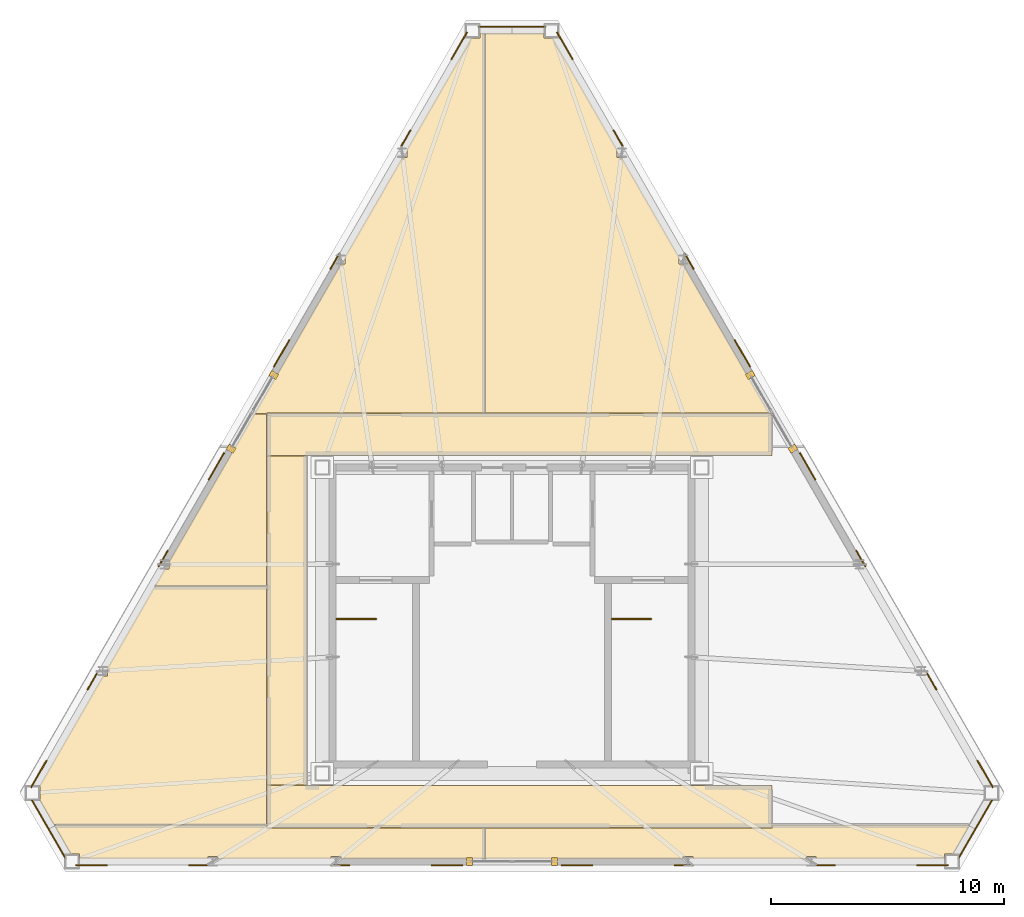
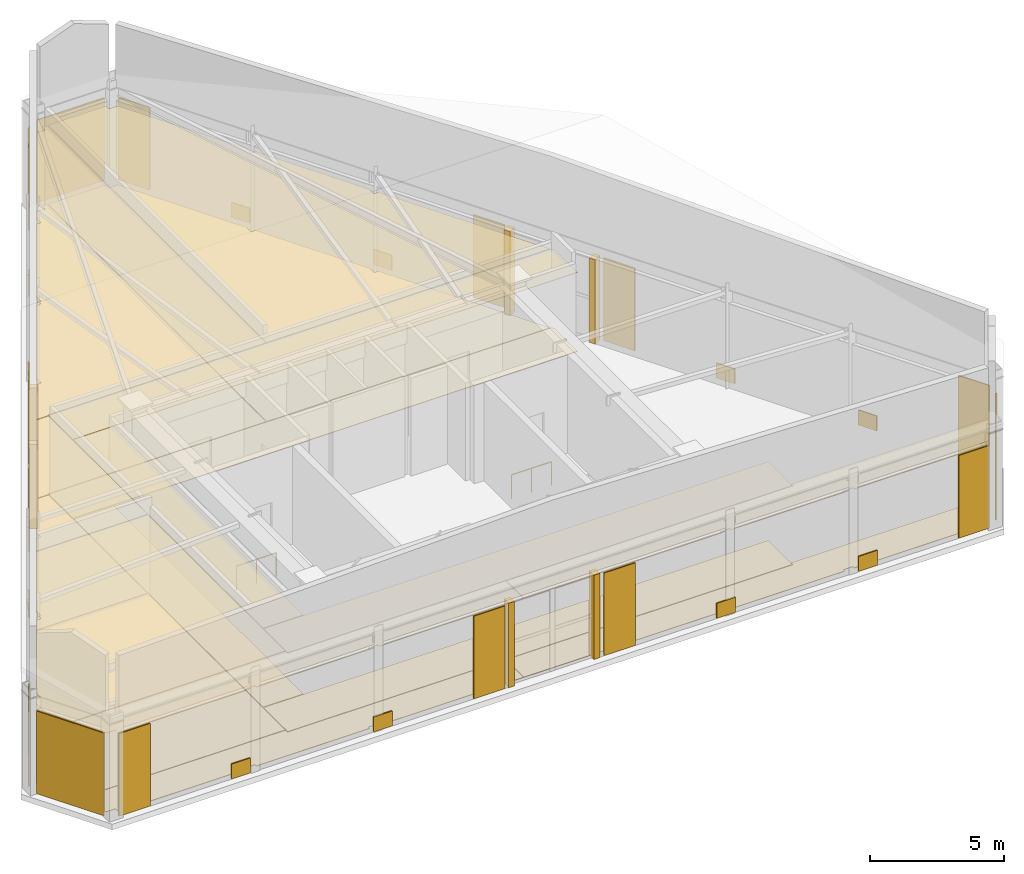
# One storey, part 11 of 11: 51 coverings, 2 railings.
"""IFC4 building model written with IfcOpenShell, lengths in metres."""

from ifc_helpers import new_model, si_unit, direction, frame, origin, origin_2d, place, context, subcontext, project, spatial, polyline, rectangle, circle, outline, extrude, material, layer, layer_set, type_object, element, save


model = new_model("IFC4")

# Units and contexts
model_context = context("Model", 3, precision=1e-05, world=origin(), true_north=direction((0.0, 1.0)))
body_context = subcontext(model_context, "Body", "Model", "MODEL_VIEW")
ifc_project = project(units=[si_unit("LENGTHUNIT", "METRE"), si_unit("AREAUNIT", "SQUARE_METRE"), si_unit("VOLUMEUNIT", "CUBIC_METRE"), si_unit("PLANEANGLEUNIT", "RADIAN"), si_unit("MASSUNIT", "GRAM", prefix="KILO")], contexts=[model_context])

# Site, building, storey
site_placement = place(None, origin())
site = spatial("IfcSite", under=ifc_project, at=site_placement, CompositionType="ELEMENT")
building_placement = place(site_placement, origin())
building = spatial("IfcBuilding", under=site, at=building_placement, Name="Oramaril Tower", CompositionType="ELEMENT")
storey_placement = place(building_placement, frame((0.0, 0.0, 318.89990234375)))
storey = spatial("IfcBuildingStorey", under=building, at=storey_placement, Name="L83", CompositionType="ELEMENT", Elevation=318.89990234375)

# Coverings
ifc_material_1 = material(Name="Mineral Fibre Acoustic Ceiling")
ifc_layer_1 = layer(ifc_material_1, 0.02001953125)
ifc_layer_set_1 = layer_set([ifc_layer_1], Name="CVT-CEIL")
covering_type_1 = type_object("IfcCoveringType", Name="CVT-CEIL", PredefinedType="CEILING", material=ifc_layer_set_1)
covering_1_placement = place(storey_placement, frame((0.0, 0.0, 3.592041015625)))
element("IfcCovering", 1, at=covering_1_placement, inside=storey, type_object=covering_type_1, Name="L83 Acoustic Suspended Ceiling 1", PredefinedType="CEILING", context=body_context, shape_type="SweptSolid", body=[
    extrude(outline(polyline([(48.679931640625, 10.47998046875), (48.679931640625, 8.669921875), (26.969970703125, 8.669921875), (26.969970703125, 10.47998046875), (48.679931640625, 10.47998046875)])), origin(), (0.0, 0.0, 1.0), 0.02001953125),
])
covering_2_placement = place(storey_placement, frame((0.0, 0.0, 3.592041015625)))
element("IfcCovering", 2, at=covering_2_placement, inside=storey, type_object=covering_type_1, Name="L83 Acoustic Suspended Ceiling 2", PredefinedType="CEILING", context=body_context, shape_type="SweptSolid", body=[
    extrude(outline(polyline([(48.679931640625, 24.669921875), (26.969970703125, 24.669921875), (26.969970703125, 26.47998046875), (48.609375, 26.47998046875), (48.679931640625, 26.357421875), (48.679931640625, 24.669921875)])), origin(), (0.0, 0.0, 1.0), 0.02001953125),
])
covering_3_placement = place(storey_placement, frame((0.0, 0.0, 3.592041015625)))
element("IfcCovering", 3, at=covering_3_placement, inside=storey, type_object=covering_type_1, Name="L83 Acoustic Suspended Ceiling 3", PredefinedType="CEILING", context=body_context, shape_type="SweptSolid", body=[
    extrude(outline(polyline([(28.699951171875, 10.5), (26.969970703125, 10.5), (26.969970703125, 24.64990234375), (28.699951171875, 24.64990234375), (28.699951171875, 10.5)])), origin(), (0.0, 0.0, 1.0), 0.02001953125),
])
covering_4_placement = place(storey_placement, frame((0.0, 0.0, 3.592041015625)))
element("IfcCovering", 4, at=covering_4_placement, inside=storey, type_object=covering_type_1, Name="L83 Acoustic Suspended Ceiling 4", PredefinedType="CEILING", context=body_context, shape_type="SweptSolid", body=[
    extrude(outline(polyline([(36.342041015625, 7.326904296875), (30.14111328125, 7.326904296875), (30.14111328125, 7.425537109375), (29.72802734375, 7.425537109375), (29.72802734375, 7.326904296875), (24.845458984375, 7.326904296875), (24.845458984375, 7.425537109375), (24.432373046875, 7.425537109375), (24.432373046875, 7.326904296875), (18.906494140625, 7.326904296875), (18.906494140625, 7.5390625), (18.526611328125, 7.5390625), (17.802978515625, 8.7919921875), (26.949951171875, 8.7919921875), (26.949951171875, 8.669921875), (26.9501953125, 8.66796875), (26.950439453125, 8.666015625), (26.950927734375, 8.664306640625), (26.951416015625, 8.662353515625), (26.952392578125, 8.66064453125), (26.953369140625, 8.658935546875), (26.95458984375, 8.6572265625), (26.955810546875, 8.656005859375), (26.957275390625, 8.654541015625), (26.958984375, 8.6533203125), (26.960693359375, 8.65234375), (26.96240234375, 8.651611328125), (26.964111328125, 8.65087890625), (26.966064453125, 8.650390625), (26.968017578125, 8.650146484375), (26.969970703125, 8.64990234375), (36.342041015625, 8.64990234375), (36.342041015625, 7.326904296875)])), origin(), (0.0, 0.0, 1.0), 0.02001953125),
])
covering_5_placement = place(storey_placement, frame((0.0, 0.0, 3.592041015625)))
element("IfcCovering", 5, at=covering_5_placement, inside=storey, type_object=covering_type_1, Name="L83 Acoustic Suspended Ceiling 5", PredefinedType="CEILING", context=body_context, shape_type="SweptSolid", body=[
    extrude(outline(polyline([(50.567626953125, 7.425537109375), (50.154541015625, 7.425537109375), (50.154541015625, 7.326904296875), (45.27197265625, 7.326904296875), (45.27197265625, 7.425537109375), (44.85888671875, 7.425537109375), (44.85888671875, 7.326904296875), (36.362060546875, 7.326904296875), (36.362060546875, 8.64990234375), (48.679931640625, 8.64990234375), (48.681884765625, 8.650146484375), (48.683837890625, 8.650390625), (48.685791015625, 8.65087890625), (48.687744140625, 8.651611328125), (48.689453125, 8.65234375), (48.691162109375, 8.6533203125), (48.692626953125, 8.654541015625), (48.694091796875, 8.656005859375), (48.695556640625, 8.6572265625), (48.696533203125, 8.658935546875), (48.697509765625, 8.66064453125), (48.698486328125, 8.662353515625), (48.69921875, 8.664306640625), (48.69970703125, 8.666015625), (48.699951171875, 8.66796875), (48.699951171875, 8.669921875), (48.699951171875, 8.7919921875), (57.197021484375, 8.7919921875), (56.473388671875, 7.5390625), (56.093505859375, 7.5390625), (56.093505859375, 7.326904296875), (50.567626953125, 7.326904296875), (50.567626953125, 7.425537109375)])), origin(), (0.0, 0.0, 1.0), 0.02001953125),
])
covering_6_placement = place(storey_placement, frame((0.0, 0.0, 3.592041015625)))
element("IfcCovering", 6, at=covering_6_placement, inside=storey, type_object=covering_type_1, Name="L83 Acoustic Suspended Ceiling 6", PredefinedType="CEILING", context=body_context, shape_type="SweptSolid", body=[
    extrude(outline(polyline([(17.197509765625, 9.841064453125), (17.2080078125, 9.841064453125), (17.2080078125, 10.48095703125), (17.197509765625, 10.48095703125), (19.919677734375, 15.19580078125), (20.12060546875, 15.19580078125), (20.12060546875, 15.544189453125), (22.14013671875, 19.0419921875), (26.949951171875, 19.0419921875), (26.949951171875, 10.5), (26.9501953125, 10.498046875), (26.950439453125, 10.49609375), (26.950927734375, 10.494140625), (26.951416015625, 10.4921875), (26.952392578125, 10.490478515625), (26.95263671875, 10.489990234375), (26.952392578125, 10.489501953125), (26.951416015625, 10.48779296875), (26.950927734375, 10.48583984375), (26.950439453125, 10.48388671875), (26.9501953125, 10.48193359375), (26.949951171875, 10.47998046875), (26.949951171875, 8.81201171875), (17.802978515625, 8.81201171875), (17.801025390625, 8.81201171875), (17.79931640625, 8.8115234375), (17.797119140625, 8.81103515625), (17.79541015625, 8.810302734375), (17.793701171875, 8.8095703125), (17.793212890625, 8.809326171875), (17.197509765625, 9.841064453125)])), origin(), (0.0, 0.0, 1.0), 0.02001953125),
])
covering_7_placement = place(storey_placement, frame((0.0, 0.0, 3.592041015625)))
element("IfcCovering", 7, at=covering_7_placement, inside=storey, type_object=covering_type_1, Name="L83 Acoustic Suspended Ceiling 7", PredefinedType="CEILING", context=body_context, shape_type="SweptSolid", body=[
    extrude(outline(polyline([(22.567626953125, 19.7822265625), (22.7685546875, 19.7822265625), (22.7685546875, 20.13037109375), (26.41259765625, 26.44189453125), (26.949951171875, 26.44189453125), (26.949951171875, 24.669921875), (26.9501953125, 24.66796875), (26.950439453125, 24.666015625), (26.950927734375, 24.664306640625), (26.951416015625, 24.662353515625), (26.952392578125, 24.66064453125), (26.95263671875, 24.659912109375), (26.952392578125, 24.659423828125), (26.951416015625, 24.65771484375), (26.950927734375, 24.65576171875), (26.950439453125, 24.65380859375), (26.9501953125, 24.652099609375), (26.949951171875, 24.64990234375), (26.949951171875, 19.06201171875), (22.15185546875, 19.06201171875), (22.567626953125, 19.7822265625)])), origin(), (0.0, 0.0, 1.0), 0.02001953125),
])
covering_8_placement = place(storey_placement, frame((0.0, 0.0, 3.592041015625)))
element("IfcCovering", 8, at=covering_8_placement, inside=storey, type_object=covering_type_1, Name="L83 Acoustic Suspended Ceiling 8", PredefinedType="CEILING", context=body_context, shape_type="SweptSolid", body=[
    extrude(outline(polyline([(30.333984375, 32.8857421875), (30.333984375, 33.23388671875), (32.78076171875, 37.47216796875), (32.98193359375, 37.47216796875), (32.98193359375, 37.8203125), (35.741455078125, 42.60009765625), (36.12158203125, 42.60009765625), (36.12158203125, 42.81201171875), (36.342041015625, 42.81201171875), (36.342041015625, 26.5), (26.969970703125, 26.5), (26.968017578125, 26.5), (26.966064453125, 26.49951171875), (26.964111328125, 26.4990234375), (26.96240234375, 26.49853515625), (26.960693359375, 26.49755859375), (26.958984375, 26.49658203125), (26.957275390625, 26.49560546875), (26.955810546875, 26.494140625), (26.95458984375, 26.49267578125), (26.953369140625, 26.4912109375), (26.952392578125, 26.489501953125), (26.951416015625, 26.48779296875), (26.950927734375, 26.48583984375), (26.950439453125, 26.48388671875), (26.9501953125, 26.48193359375), (26.949951171875, 26.47998046875), (26.949951171875, 26.4619140625), (26.42431640625, 26.4619140625), (30.1328125, 32.8857421875), (30.333984375, 32.8857421875)])), origin(), (0.0, 0.0, 1.0), 0.02001953125),
])
covering_9_placement = place(storey_placement, frame((0.0, 0.0, 3.592041015625)))
element("IfcCovering", 9, at=covering_9_placement, inside=storey, type_object=covering_type_1, Name="L83 Acoustic Suspended Ceiling 9", PredefinedType="CEILING", context=body_context, shape_type="SweptSolid", body=[
    extrude(outline(polyline([(38.87841796875, 42.81201171875), (38.87841796875, 42.60009765625), (39.258544921875, 42.60009765625), (42.01806640625, 37.8203125), (42.01806640625, 37.47216796875), (42.21923828125, 37.47216796875), (44.666015625, 33.23388671875), (44.666015625, 32.8857421875), (44.8671875, 32.8857421875), (48.553955078125, 26.5), (36.362060546875, 26.5), (36.362060546875, 42.81201171875), (38.87841796875, 42.81201171875)])), origin(), (0.0, 0.0, 1.0), 0.02001953125),
])
ifc_material_2 = material(Name="Warm Cream Limestone", Category="masonry")
ifc_layer_2 = layer(ifc_material_2, 0.050048828125)
ifc_layer_set_2 = layer_set([ifc_layer_2], Name="CVT-CLD")
covering_type_2 = type_object("IfcCoveringType", Name="CVT-CLD", PredefinedType="CLADDING", material=ifc_layer_set_2)
covering_10_placement = place(storey_placement, frame((17.591796875, 8.60595703125, 0.0400390625), z_axis=(0.0, 0.0, 1.0), x_axis=(0.499986396443, -0.866033257659, 0.0)))
element("IfcCovering", 10, at=covering_10_placement, inside=storey, type_object=covering_type_2, Name="L83 Warm Cream Limestone Cladding", PredefinedType="CLADDING", context=body_context, shape_type="SweptSolid", body=[
    extrude(rectangle(XDim=2.897216796875, YDim=0.050048828125, at=origin_2d()), origin(), (0.0, 0.0, 1.0), 3.758056640625),
])
for number, where, z_axis, x_axis, name in (
    (11, (35.669921875, 7.218994140625, 0.000244140625), (0.0, 0.0, 1.0), (1.0, 0.0, 0.0), "L83 Curtain Wall Limestone Jamb Closure"),
    (12, (39.330078125, 7.218994140625, 0.000244140625), (0.0, 0.0, 1.0), (1.0, 0.0, 0.0), "L83 Curtain Wall Limestone Jamb Closure"),
):
    element("IfcCovering", number, at=place(storey_placement, frame(where, z_axis=z_axis, x_axis=x_axis)), inside=storey, type_object=covering_type_2, Name=name, PredefinedType="CLADDING", context=body_context, shape_type="SweptSolid", body=[
        extrude(rectangle(XDim=0.260009765625, YDim=0.340087890625, at=origin_2d()), origin(), (0.0, 0.0, 1.0), 3.837890625),
    ])
for number, where, z_axis, x_axis, name in (
    (13, (19.4365234375, 7.051025390625, 0.0400390625), (0.0, 0.0, 1.0), (1.0, 0.0, 0.0), "L83 Warm Cream Limestone Cladding"),
    (14, (34.699951171875, 7.051025390625, 0.0400390625), (0.0, 0.0, 1.0), (1.0, 0.0, 0.0), "L83 Warm Cream Limestone Cladding"),
):
    element("IfcCovering", number, at=place(storey_placement, frame(where, z_axis=z_axis, x_axis=x_axis)), inside=storey, type_object=covering_type_2, Name=name, PredefinedType="CLADDING", context=body_context, shape_type="SweptSolid", body=[
        extrude(rectangle(XDim=1.35009765625, YDim=0.050048828125, at=origin_2d()), origin(), (0.0, 0.0, 1.0), 3.758056640625),
    ])
for number, where, z_axis, x_axis, name in (
    (15, (24.014892578125, 7.051025390625, 0.0400390625), (0.0, 0.0, 1.0), (1.0, 0.0, 0.0), "L83 Warm Cream Limestone Spandrel Cladding"),
    (16, (30.12158203125, 7.051025390625, 0.0400390625), (0.0, 0.0, 1.0), (1.0, 0.0, 0.0), "L83 Warm Cream Limestone Spandrel Cladding"),
):
    element("IfcCovering", number, at=place(storey_placement, frame(where, z_axis=z_axis, x_axis=x_axis)), inside=storey, type_object=covering_type_2, Name=name, PredefinedType="CLADDING", context=body_context, shape_type="SweptSolid", body=[
        extrude(rectangle(XDim=0.800048828125, YDim=0.050048828125, at=origin_2d()), origin(), (0.0, 0.0, 1.0), 0.679931640625),
    ])
for number, where, z_axis, x_axis, name in (
    (17, (40.300048828125, 7.051025390625, 0.0400390625), (0.0, 0.0, 1.0), (1.0, 0.0, 0.0), "L83 Warm Cream Limestone Cladding"),
    (18, (55.5634765625, 7.051025390625, 0.0400390625), (0.0, 0.0, 1.0), (1.0, 0.0, 0.0), "L83 Warm Cream Limestone Cladding"),
):
    element("IfcCovering", number, at=place(storey_placement, frame(where, z_axis=z_axis, x_axis=x_axis)), inside=storey, type_object=covering_type_2, Name=name, PredefinedType="CLADDING", context=body_context, shape_type="SweptSolid", body=[
        extrude(rectangle(XDim=1.35009765625, YDim=0.050048828125, at=origin_2d()), origin(), (0.0, 0.0, 1.0), 3.758056640625),
    ])
for number, where, z_axis, x_axis, name in (
    (19, (44.87841796875, 7.051025390625, 0.0400390625), (0.0, 0.0, 1.0), (1.0, 0.0, 0.0), "L83 Warm Cream Limestone Spandrel Cladding"),
    (20, (50.985107421875, 7.051025390625, 0.0400390625), (0.0, 0.0, 1.0), (1.0, 0.0, 0.0), "L83 Warm Cream Limestone Spandrel Cladding"),
):
    element("IfcCovering", number, at=place(storey_placement, frame(where, z_axis=z_axis, x_axis=x_axis)), inside=storey, type_object=covering_type_2, Name=name, PredefinedType="CLADDING", context=body_context, shape_type="SweptSolid", body=[
        extrude(rectangle(XDim=0.800048828125, YDim=0.050048828125, at=origin_2d()), origin(), (0.0, 0.0, 1.0), 0.679931640625),
    ])
covering_11_placement = place(storey_placement, frame((57.408203125, 8.60595703125, 0.0400390625), z_axis=(0.0, 0.0, 1.0), x_axis=(0.499986396443, 0.866033257659, 0.0)))
element("IfcCovering", 21, at=covering_11_placement, inside=storey, type_object=covering_type_2, Name="L83 Warm Cream Limestone Cladding", PredefinedType="CLADDING", context=body_context, shape_type="SweptSolid", body=[
    extrude(rectangle(XDim=2.897216796875, YDim=0.050048828125, at=origin_2d()), origin(), (0.0, 0.0, 1.0), 3.758056640625),
])
for number, where, z_axis, x_axis, name in (
    (22, (49.5703125, 24.95556640625, 0.000244140625), (0.0, 0.0, 1.0), (-0.5, 0.866025403784, 0.0), "L83 Curtain Wall Limestone Jamb Closure"),
    (23, (47.740234375, 28.125244140625, 0.000244140625), (0.0, 0.0, 1.0), (-0.5, 0.866025403784, 0.0), "L83 Curtain Wall Limestone Jamb Closure"),
):
    element("IfcCovering", number, at=place(storey_placement, frame(where, z_axis=z_axis, x_axis=x_axis)), inside=storey, type_object=covering_type_2, Name=name, PredefinedType="CLADDING", context=body_context, shape_type="SweptSolid", body=[
        extrude(rectangle(XDim=0.260009765625, YDim=0.340087890625, at=origin_2d()), origin(), (0.0, 0.0, 1.0), 3.837890625),
    ])
for number, where, z_axis, x_axis, name in (
    (24, (57.83251953125, 10.981201171875, 0.0400390625), (0.0, 0.0, 1.0), (-0.5, 0.866025403784, 0.0), "L83 Warm Cream Limestone Cladding"),
    (25, (50.20068359375, 24.19970703125, 0.0400390625), (0.0, 0.0, 1.0), (-0.5, 0.866025403784, 0.0), "L83 Warm Cream Limestone Cladding"),
):
    element("IfcCovering", number, at=place(storey_placement, frame(where, z_axis=z_axis, x_axis=x_axis)), inside=storey, type_object=covering_type_2, Name=name, PredefinedType="CLADDING", context=body_context, shape_type="SweptSolid", body=[
        extrude(rectangle(XDim=1.35009765625, YDim=0.050048828125, at=origin_2d()), origin(), (0.0, 0.0, 1.0), 3.758056640625),
    ])
for number, where, z_axis, x_axis, name in (
    (26, (55.543212890625, 14.946044921875, 0.0400390625), (0.0, 0.0, 1.0), (-0.5, 0.866025403784, 0.0), "L83 Warm Cream Limestone Spandrel Cladding"),
    (27, (52.489990234375, 20.234619140625, 0.0400390625), (0.0, 0.0, 1.0), (-0.5, 0.866025403784, 0.0), "L83 Warm Cream Limestone Spandrel Cladding"),
):
    element("IfcCovering", number, at=place(storey_placement, frame(where, z_axis=z_axis, x_axis=x_axis)), inside=storey, type_object=covering_type_2, Name=name, PredefinedType="CLADDING", context=body_context, shape_type="SweptSolid", body=[
        extrude(rectangle(XDim=0.800048828125, YDim=0.050048828125, at=origin_2d()), origin(), (0.0, 0.0, 1.0), 0.679931640625),
    ])
for number, where, z_axis, x_axis, name in (
    (28, (47.400634765625, 29.04931640625, 0.0400390625), (0.0, 0.0, 1.0), (-0.5, 0.866025403784, 0.0), "L83 Warm Cream Limestone Cladding"),
    (29, (39.76904296875, 42.267822265625, 0.0400390625), (0.0, 0.0, 1.0), (-0.5, 0.866025403784, 0.0), "L83 Warm Cream Limestone Cladding"),
):
    element("IfcCovering", number, at=place(storey_placement, frame(where, z_axis=z_axis, x_axis=x_axis)), inside=storey, type_object=covering_type_2, Name=name, PredefinedType="CLADDING", context=body_context, shape_type="SweptSolid", body=[
        extrude(rectangle(XDim=1.35009765625, YDim=0.050048828125, at=origin_2d()), origin(), (0.0, 0.0, 1.0), 3.758056640625),
    ])
for number, where, z_axis, x_axis, name in (
    (30, (45.111572265625, 33.014404296875, 0.0400390625), (0.0, 0.0, 1.0), (-0.5, 0.866025403784, 0.0), "L83 Warm Cream Limestone Spandrel Cladding"),
    (31, (42.05810546875, 38.302978515625, 0.0400390625), (0.0, 0.0, 1.0), (-0.5, 0.866025403784, 0.0), "L83 Warm Cream Limestone Spandrel Cladding"),
):
    element("IfcCovering", number, at=place(storey_placement, frame(where, z_axis=z_axis, x_axis=x_axis)), inside=storey, type_object=covering_type_2, Name=name, PredefinedType="CLADDING", context=body_context, shape_type="SweptSolid", body=[
        extrude(rectangle(XDim=0.800048828125, YDim=0.050048828125, at=origin_2d()), origin(), (0.0, 0.0, 1.0), 0.679931640625),
    ])
covering_12_placement = place(storey_placement, frame((37.5, 43.087890625, 0.0400390625), z_axis=(0.0, 0.0, 1.0), x_axis=(-1.0, 0.0, 0.0)))
element("IfcCovering", 32, at=covering_12_placement, inside=storey, type_object=covering_type_2, Name="L83 Warm Cream Limestone Cladding", PredefinedType="CLADDING", context=body_context, shape_type="SweptSolid", body=[
    extrude(rectangle(XDim=2.89697265625, YDim=0.050048828125, at=origin_2d()), origin(), (0.0, 0.0, 1.0), 3.758056640625),
])
for number, where, z_axis, x_axis, name in (
    (33, (27.259765625, 28.12548828125, 0.000244140625), (0.0, 0.0, 1.0), (-0.5, -0.866025403784, 0.0), "L83 Curtain Wall Limestone Jamb Closure"),
    (34, (25.4296875, 24.955810546875, 0.000244140625), (0.0, 0.0, 1.0), (-0.5, -0.866025403784, 0.0), "L83 Curtain Wall Limestone Jamb Closure"),
):
    element("IfcCovering", number, at=place(storey_placement, frame(where, z_axis=z_axis, x_axis=x_axis)), inside=storey, type_object=covering_type_2, Name=name, PredefinedType="CLADDING", context=body_context, shape_type="SweptSolid", body=[
        extrude(rectangle(XDim=0.260009765625, YDim=0.340087890625, at=origin_2d()), origin(), (0.0, 0.0, 1.0), 3.837890625),
    ])
for number, where, z_axis, x_axis, name in (
    (35, (35.23095703125, 42.267822265625, 0.0400390625), (0.0, 0.0, 1.0), (-0.5, -0.866025403784, 0.0), "L83 Warm Cream Limestone Cladding"),
    (36, (27.599365234375, 29.04931640625, 0.0400390625), (0.0, 0.0, 1.0), (-0.5, -0.866025403784, 0.0), "L83 Warm Cream Limestone Cladding"),
):
    element("IfcCovering", number, at=place(storey_placement, frame(where, z_axis=z_axis, x_axis=x_axis)), inside=storey, type_object=covering_type_2, Name=name, PredefinedType="CLADDING", context=body_context, shape_type="SweptSolid", body=[
        extrude(rectangle(XDim=1.35009765625, YDim=0.050048828125, at=origin_2d()), origin(), (0.0, 0.0, 1.0), 3.758056640625),
    ])
for number, where, z_axis, x_axis, name in (
    (37, (32.94189453125, 38.302978515625, 0.0400390625), (0.0, 0.0, 1.0), (-0.5, -0.866025403784, 0.0), "L83 Warm Cream Limestone Spandrel Cladding"),
    (38, (29.888427734375, 33.014404296875, 0.0400390625), (0.0, 0.0, 1.0), (-0.5, -0.866025403784, 0.0), "L83 Warm Cream Limestone Spandrel Cladding"),
):
    element("IfcCovering", number, at=place(storey_placement, frame(where, z_axis=z_axis, x_axis=x_axis)), inside=storey, type_object=covering_type_2, Name=name, PredefinedType="CLADDING", context=body_context, shape_type="SweptSolid", body=[
        extrude(rectangle(XDim=0.800048828125, YDim=0.050048828125, at=origin_2d()), origin(), (0.0, 0.0, 1.0), 0.679931640625),
    ])
for number, where, z_axis, x_axis, name in (
    (39, (24.79931640625, 24.19970703125, 0.0400390625), (0.0, 0.0, 1.0), (-0.5, -0.866025403784, 0.0), "L83 Warm Cream Limestone Cladding"),
    (40, (17.16748046875, 10.981201171875, 0.0400390625), (0.0, 0.0, 1.0), (-0.5, -0.866025403784, 0.0), "L83 Warm Cream Limestone Cladding"),
):
    element("IfcCovering", number, at=place(storey_placement, frame(where, z_axis=z_axis, x_axis=x_axis)), inside=storey, type_object=covering_type_2, Name=name, PredefinedType="CLADDING", context=body_context, shape_type="SweptSolid", body=[
        extrude(rectangle(XDim=1.35009765625, YDim=0.050048828125, at=origin_2d()), origin(), (0.0, 0.0, 1.0), 3.758056640625),
    ])
for number, where, z_axis, x_axis, name in (
    (41, (22.51025390625, 20.234619140625, 0.0400390625), (0.0, 0.0, 1.0), (-0.5, -0.866025403784, 0.0), "L83 Warm Cream Limestone Spandrel Cladding"),
    (42, (19.456787109375, 14.946044921875, 0.0400390625), (0.0, 0.0, 1.0), (-0.5, -0.866025403784, 0.0), "L83 Warm Cream Limestone Spandrel Cladding"),
):
    element("IfcCovering", number, at=place(storey_placement, frame(where, z_axis=z_axis, x_axis=x_axis)), inside=storey, type_object=covering_type_2, Name=name, PredefinedType="CLADDING", context=body_context, shape_type="SweptSolid", body=[
        extrude(rectangle(XDim=0.800048828125, YDim=0.050048828125, at=origin_2d()), origin(), (0.0, 0.0, 1.0), 0.679931640625),
    ])
ifc_material_3 = material(Name="Honed Quartzite Stone Flooring", Category="masonry")
ifc_layer_3 = layer(ifc_material_3, 0.02490234375)
ifc_layer_set_3 = layer_set([ifc_layer_3], Name="CVT-FLR")
covering_type_3 = type_object("IfcCoveringType", Name="CVT-FLR", PredefinedType="FLOORING", material=ifc_layer_set_3)
covering_13_placement = place(storey_placement, origin())
element("IfcCovering", 43, at=covering_13_placement, inside=storey, type_object=covering_type_3, Name="L83 Honed Stone Floor Finish 1", PredefinedType="FLOORING", context=body_context, shape_type="SweptSolid", body=[
    extrude(outline(polyline([(48.679931640625, 10.47998046875), (48.679931640625, 8.669921875), (26.969970703125, 8.669921875), (26.969970703125, 10.47998046875), (48.679931640625, 10.47998046875)])), origin(), (0.0, 0.0, 1.0), 0.025146484375),
])
covering_14_placement = place(storey_placement, origin())
element("IfcCovering", 44, at=covering_14_placement, inside=storey, type_object=covering_type_3, Name="L83 Honed Stone Floor Finish 2", PredefinedType="FLOORING", context=body_context, shape_type="SweptSolid", body=[
    extrude(outline(polyline([(48.679931640625, 24.669921875), (26.969970703125, 24.669921875), (26.969970703125, 26.47998046875), (48.609375, 26.47998046875), (48.679931640625, 26.357421875), (48.679931640625, 24.669921875)])), origin(), (0.0, 0.0, 1.0), 0.025146484375),
])
covering_15_placement = place(storey_placement, origin())
element("IfcCovering", 45, at=covering_15_placement, inside=storey, type_object=covering_type_3, Name="L83 Honed Stone Floor Finish 3", PredefinedType="FLOORING", context=body_context, shape_type="SweptSolid", body=[
    extrude(outline(polyline([(28.699951171875, 10.5), (26.969970703125, 10.5), (26.969970703125, 24.64990234375), (28.699951171875, 24.64990234375), (28.699951171875, 10.5)])), origin(), (0.0, 0.0, 1.0), 0.025146484375),
])
covering_16_placement = place(storey_placement, origin())
element("IfcCovering", 46, at=covering_16_placement, inside=storey, type_object=covering_type_3, Name="L83 Honed Stone Floor Finish 4", PredefinedType="FLOORING", context=body_context, shape_type="SweptSolid", body=[
    extrude(outline(polyline([(36.342041015625, 7.326904296875), (30.14111328125, 7.326904296875), (30.14111328125, 7.425537109375), (29.72802734375, 7.425537109375), (29.72802734375, 7.326904296875), (24.845458984375, 7.326904296875), (24.845458984375, 7.425537109375), (24.432373046875, 7.425537109375), (24.432373046875, 7.326904296875), (18.906494140625, 7.326904296875), (18.906494140625, 7.5390625), (18.526611328125, 7.5390625), (17.802978515625, 8.7919921875), (26.949951171875, 8.7919921875), (26.949951171875, 8.669921875), (26.9501953125, 8.66796875), (26.950439453125, 8.666015625), (26.950927734375, 8.664306640625), (26.951416015625, 8.662353515625), (26.952392578125, 8.66064453125), (26.953369140625, 8.658935546875), (26.95458984375, 8.6572265625), (26.955810546875, 8.656005859375), (26.957275390625, 8.654541015625), (26.958984375, 8.6533203125), (26.960693359375, 8.65234375), (26.96240234375, 8.651611328125), (26.964111328125, 8.65087890625), (26.966064453125, 8.650390625), (26.968017578125, 8.650146484375), (26.969970703125, 8.64990234375), (36.342041015625, 8.64990234375), (36.342041015625, 7.326904296875)])), origin(), (0.0, 0.0, 1.0), 0.025146484375),
])
covering_17_placement = place(storey_placement, origin())
element("IfcCovering", 47, at=covering_17_placement, inside=storey, type_object=covering_type_3, Name="L83 Honed Stone Floor Finish 5", PredefinedType="FLOORING", context=body_context, shape_type="SweptSolid", body=[
    extrude(outline(polyline([(50.567626953125, 7.425537109375), (50.154541015625, 7.425537109375), (50.154541015625, 7.326904296875), (45.27197265625, 7.326904296875), (45.27197265625, 7.425537109375), (44.85888671875, 7.425537109375), (44.85888671875, 7.326904296875), (36.362060546875, 7.326904296875), (36.362060546875, 8.64990234375), (48.679931640625, 8.64990234375), (48.681884765625, 8.650146484375), (48.683837890625, 8.650390625), (48.685791015625, 8.65087890625), (48.687744140625, 8.651611328125), (48.689453125, 8.65234375), (48.691162109375, 8.6533203125), (48.692626953125, 8.654541015625), (48.694091796875, 8.656005859375), (48.695556640625, 8.6572265625), (48.696533203125, 8.658935546875), (48.697509765625, 8.66064453125), (48.698486328125, 8.662353515625), (48.69921875, 8.664306640625), (48.69970703125, 8.666015625), (48.699951171875, 8.66796875), (48.699951171875, 8.669921875), (48.699951171875, 8.7919921875), (57.197021484375, 8.7919921875), (56.473388671875, 7.5390625), (56.093505859375, 7.5390625), (56.093505859375, 7.326904296875), (50.567626953125, 7.326904296875), (50.567626953125, 7.425537109375)])), origin(), (0.0, 0.0, 1.0), 0.025146484375),
])
covering_18_placement = place(storey_placement, origin())
element("IfcCovering", 48, at=covering_18_placement, inside=storey, type_object=covering_type_3, Name="L83 Honed Stone Floor Finish 6", PredefinedType="FLOORING", context=body_context, shape_type="SweptSolid", body=[
    extrude(outline(polyline([(17.197509765625, 9.841064453125), (17.2080078125, 9.841064453125), (17.2080078125, 10.48095703125), (17.197509765625, 10.48095703125), (19.919677734375, 15.19580078125), (20.12060546875, 15.19580078125), (20.12060546875, 15.544189453125), (22.14013671875, 19.0419921875), (26.949951171875, 19.0419921875), (26.949951171875, 10.5), (26.9501953125, 10.498046875), (26.950439453125, 10.49609375), (26.950927734375, 10.494140625), (26.951416015625, 10.4921875), (26.952392578125, 10.490478515625), (26.95263671875, 10.489990234375), (26.952392578125, 10.489501953125), (26.951416015625, 10.48779296875), (26.950927734375, 10.48583984375), (26.950439453125, 10.48388671875), (26.9501953125, 10.48193359375), (26.949951171875, 10.47998046875), (26.949951171875, 8.81201171875), (17.802978515625, 8.81201171875), (17.801025390625, 8.81201171875), (17.79931640625, 8.8115234375), (17.797119140625, 8.81103515625), (17.79541015625, 8.810302734375), (17.793701171875, 8.8095703125), (17.793212890625, 8.809326171875), (17.197509765625, 9.841064453125)])), origin(), (0.0, 0.0, 1.0), 0.025146484375),
])
covering_19_placement = place(storey_placement, origin())
element("IfcCovering", 49, at=covering_19_placement, inside=storey, type_object=covering_type_3, Name="L83 Honed Stone Floor Finish 7", PredefinedType="FLOORING", context=body_context, shape_type="SweptSolid", body=[
    extrude(outline(polyline([(22.567626953125, 19.7822265625), (22.7685546875, 19.7822265625), (22.7685546875, 20.13037109375), (26.41259765625, 26.44189453125), (26.949951171875, 26.44189453125), (26.949951171875, 24.669921875), (26.9501953125, 24.66796875), (26.950439453125, 24.666015625), (26.950927734375, 24.664306640625), (26.951416015625, 24.662353515625), (26.952392578125, 24.66064453125), (26.95263671875, 24.659912109375), (26.952392578125, 24.659423828125), (26.951416015625, 24.65771484375), (26.950927734375, 24.65576171875), (26.950439453125, 24.65380859375), (26.9501953125, 24.652099609375), (26.949951171875, 24.64990234375), (26.949951171875, 19.06201171875), (22.15185546875, 19.06201171875), (22.567626953125, 19.7822265625)])), origin(), (0.0, 0.0, 1.0), 0.025146484375),
])
covering_20_placement = place(storey_placement, origin())
element("IfcCovering", 50, at=covering_20_placement, inside=storey, type_object=covering_type_3, Name="L83 Honed Stone Floor Finish 8", PredefinedType="FLOORING", context=body_context, shape_type="SweptSolid", body=[
    extrude(outline(polyline([(30.333984375, 32.8857421875), (30.333984375, 33.23388671875), (32.78076171875, 37.47216796875), (32.98193359375, 37.47216796875), (32.98193359375, 37.8203125), (35.741455078125, 42.60009765625), (36.12158203125, 42.60009765625), (36.12158203125, 42.81201171875), (36.342041015625, 42.81201171875), (36.342041015625, 26.5), (26.969970703125, 26.5), (26.968017578125, 26.5), (26.966064453125, 26.49951171875), (26.964111328125, 26.4990234375), (26.96240234375, 26.49853515625), (26.960693359375, 26.49755859375), (26.958984375, 26.49658203125), (26.957275390625, 26.49560546875), (26.955810546875, 26.494140625), (26.95458984375, 26.49267578125), (26.953369140625, 26.4912109375), (26.952392578125, 26.489501953125), (26.951416015625, 26.48779296875), (26.950927734375, 26.48583984375), (26.950439453125, 26.48388671875), (26.9501953125, 26.48193359375), (26.949951171875, 26.47998046875), (26.949951171875, 26.4619140625), (26.42431640625, 26.4619140625), (30.1328125, 32.8857421875), (30.333984375, 32.8857421875)])), origin(), (0.0, 0.0, 1.0), 0.025146484375),
])
covering_21_placement = place(storey_placement, origin())
element("IfcCovering", 51, at=covering_21_placement, inside=storey, type_object=covering_type_3, Name="L83 Honed Stone Floor Finish 9", PredefinedType="FLOORING", context=body_context, shape_type="SweptSolid", body=[
    extrude(outline(polyline([(38.87841796875, 42.81201171875), (38.87841796875, 42.60009765625), (39.258544921875, 42.60009765625), (42.01806640625, 37.8203125), (42.01806640625, 37.47216796875), (42.21923828125, 37.47216796875), (44.666015625, 33.23388671875), (44.666015625, 32.8857421875), (44.8671875, 32.8857421875), (48.553955078125, 26.5), (36.362060546875, 26.5), (36.362060546875, 42.81201171875), (38.87841796875, 42.81201171875)])), origin(), (0.0, 0.0, 1.0), 0.025146484375),
])

# Railings
ifc_material_4 = material(Name="Stainless Steel 316L", Category="steel")
railing_type = type_object("IfcRailingType", Name="RLT-GRD", PredefinedType="GUARDRAIL", material=ifc_material_4)
for number, where, name in (
    (52, (29.949951171875, 17.639892578125, 0.0), "L83 ST-1 top well guard 1"),
    (53, (41.780029296875, 17.639892578125, 0.0), "L83 ST-2 top well guard 1"),
):
    element("IfcRailing", number, at=place(storey_placement, frame(where)), inside=storey, type_object=railing_type, Name=name, PredefinedType="GUARDRAIL", context=body_context, shape_type="SweptSolid", body=[
        extrude(circle(Radius=0.02392578125, at=origin_2d()), frame((0.0, 0.0, 1.076171875), z_axis=(1.0, 0.0, 0.0), x_axis=(0.0, 1.0, 0.0)), (0.0, 0.0, 1.0), 1.7099609375),
        extrude(circle(Radius=0.02099609375, at=origin_2d()), origin(), (0.0, 0.0, 1.0), 1.052001953125),
        extrude(circle(Radius=0.02099609375, at=origin_2d()), frame((0.85498046875, 0.0, 0.0)), (0.0, 0.0, 1.0), 1.052001953125),
        extrude(circle(Radius=0.02099609375, at=origin_2d()), frame((1.7099609375, 0.0, 0.0)), (0.0, 0.0, 1.0), 1.052001953125),
    ])

save(model, "model.ifc")
